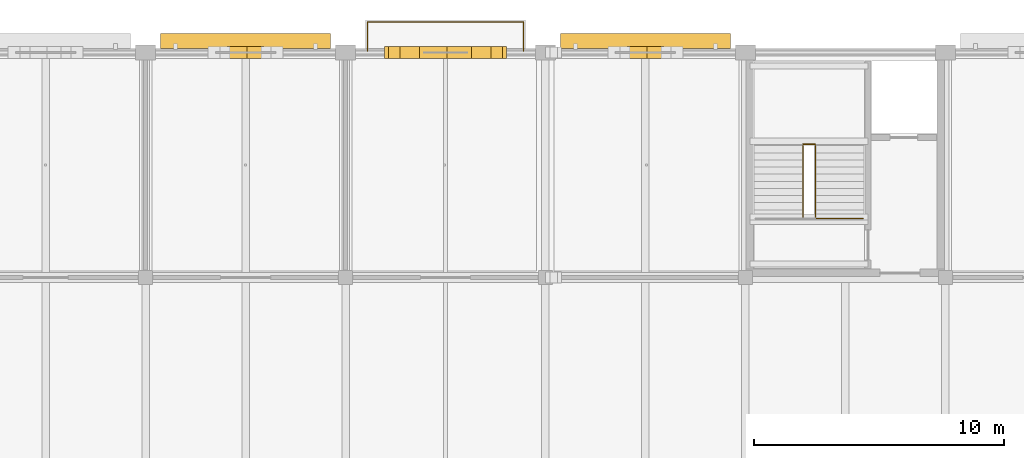
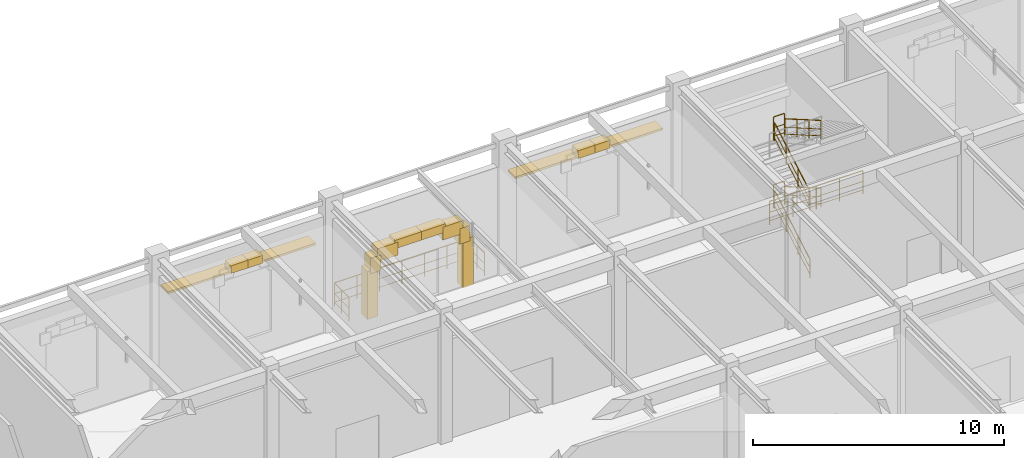
# One storey, part 161 of 163: 12 coverings, 8 railings, 2 shading devices.
"""IFC4 building model written with IfcOpenShell, lengths in metres."""

from ifc_helpers import new_model, si_unit, direction, frame, origin, origin_2d, place, context, subcontext, project, spatial, rectangle, circle, extrude, material, layer, layer_set, type_object, element, save


model = new_model("IFC4")

# Units and contexts
model_context = context("Model", 3, precision=1e-05, world=origin(), true_north=direction((0.0, 1.0)))
body_context = subcontext(model_context, "Body", "Model", "MODEL_VIEW")
ifc_project = project(units=[si_unit("LENGTHUNIT", "METRE"), si_unit("AREAUNIT", "SQUARE_METRE"), si_unit("VOLUMEUNIT", "CUBIC_METRE"), si_unit("PLANEANGLEUNIT", "RADIAN"), si_unit("MASSUNIT", "GRAM", prefix="KILO")], contexts=[model_context])

# Site, building, storey
site_placement = place(None, origin())
site = spatial("IfcSite", under=ifc_project, at=site_placement, CompositionType="ELEMENT")
building_placement = place(site_placement, origin())
building = spatial("IfcBuilding", under=site, at=building_placement, Name="Varnabhumi Central Station", CompositionType="ELEMENT")
storey_placement = place(building_placement, frame((0.0, 0.0, 9.60009765625)))
storey = spatial("IfcBuildingStorey", under=building, at=storey_placement, Name="L02", CompositionType="ELEMENT", Elevation=9.60009765625)

# Coverings
ifc_material_1 = material(Name="Terracotta clay Mission barrel tile", Category="masonry")
ifc_layer_1 = layer(ifc_material_1, 0.02001953125, Name="Terracotta clay Mission barrel tile", Category="masonry")
ifc_layer_set_1 = layer_set([ifc_layer_1], Name="Terracotta clay Mission barrel tile")
covering_type = type_object("IfcCoveringType", Name="COV-WALL-FAIENCE", PredefinedType="CLADDING", material=ifc_layer_set_1)
for number, where, z_axis, x_axis, name in (
    (1, (107.66259765625, 116.0, 4.4228515625), (0.0, 0.0, 1.0), (1.0, 0.0, 0.0), "North Window Arch L02-11 Stone Voussoir 3"),
    (2, (108.33740234375, 116.0, 4.4228515625), (0.0, 0.0, 1.0), (1.0, 0.0, 0.0), "North Window Arch L02-11 Stone Voussoir 4"),
):
    element("IfcCovering", number, at=place(storey_placement, frame(where, z_axis=z_axis, x_axis=x_axis)), inside=storey, type_object=covering_type, Name=name, PredefinedType="CLADDING", context=body_context, shape_type="SweptSolid", body=[
        extrude(rectangle(XDim=0.794921875, YDim=0.47998046875, at=origin_2d()), origin(), (0.0, 0.0, 1.0), 0.3798828125),
    ])
covering_1_placement = place(storey_placement, frame((113.947509765625, 116.0, 2.159912109375), z_axis=(0.0, 0.0, 1.0), x_axis=(1.0, 0.0, 0.0)))
element("IfcCovering", 3, at=covering_1_placement, inside=storey, type_object=covering_type, Name="Balcony Arch Portal L02-12 Stone Voussoir 1", PredefinedType="CLADDING", context=body_context, shape_type="SweptSolid", body=[
    extrude(rectangle(XDim=0.469970703125, YDim=0.47998046875, at=origin_2d()), origin(), (0.0, 0.0, 1.0), 0.7548828125),
])
covering_2_placement = place(storey_placement, frame((114.49755859375, 116.0, 2.635009765625), z_axis=(0.0, 0.0, 1.0), x_axis=(1.0, 0.0, 0.0)))
element("IfcCovering", 4, at=covering_2_placement, inside=storey, type_object=covering_type, Name="Balcony Arch Portal L02-12 Stone Voussoir 2", PredefinedType="CLADDING", context=body_context, shape_type="SweptSolid", body=[
    extrude(rectangle(XDim=0.925048828125, YDim=0.47998046875, at=origin_2d()), origin(), (0.0, 0.0, 1.0), 0.6279296875),
])
for number, where, z_axis, x_axis, name in (
    (5, (115.449951171875, 116.0, 2.98291015625), (0.0, 0.0, 1.0), (1.0, 0.0, 0.0), "Balcony Arch Portal L02-12 Stone Voussoir 3"),
    (6, (116.550048828125, 116.0, 2.98291015625), (0.0, 0.0, 1.0), (1.0, 0.0, 0.0), "Balcony Arch Portal L02-12 Stone Voussoir 4"),
):
    element("IfcCovering", number, at=place(storey_placement, frame(where, z_axis=z_axis, x_axis=x_axis)), inside=storey, type_object=covering_type, Name=name, PredefinedType="CLADDING", context=body_context, shape_type="SweptSolid", body=[
        extrude(rectangle(XDim=1.219970703125, YDim=0.47998046875, at=origin_2d()), origin(), (0.0, 0.0, 1.0), 0.406982421875),
    ])
covering_3_placement = place(storey_placement, frame((117.50244140625, 116.0, 2.635009765625), z_axis=(0.0, 0.0, 1.0), x_axis=(1.0, 0.0, 0.0)))
element("IfcCovering", 7, at=covering_3_placement, inside=storey, type_object=covering_type, Name="Balcony Arch Portal L02-12 Stone Voussoir 5", PredefinedType="CLADDING", context=body_context, shape_type="SweptSolid", body=[
    extrude(rectangle(XDim=0.925048828125, YDim=0.47998046875, at=origin_2d()), origin(), (0.0, 0.0, 1.0), 0.6279296875),
])
covering_4_placement = place(storey_placement, frame((118.052490234375, 116.0, 2.159912109375), z_axis=(0.0, 0.0, 1.0), x_axis=(1.0, 0.0, 0.0)))
element("IfcCovering", 8, at=covering_4_placement, inside=storey, type_object=covering_type, Name="Balcony Arch Portal L02-12 Stone Voussoir 6", PredefinedType="CLADDING", context=body_context, shape_type="SweptSolid", body=[
    extrude(rectangle(XDim=0.469970703125, YDim=0.47998046875, at=origin_2d()), origin(), (0.0, 0.0, 1.0), 0.7548828125),
])
for number, where, z_axis, x_axis, name in (
    (9, (113.800048828125, 116.0, -0.02001953125), (0.0, 0.0, 1.0), (1.0, 0.0, 0.0), "Balcony Arch Portal L02-12 Classical Pilaster 1"),
    (10, (118.199951171875, 116.0, -0.02001953125), (0.0, 0.0, 1.0), (1.0, 0.0, 0.0), "Balcony Arch Portal L02-12 Classical Pilaster 2"),
):
    element("IfcCovering", number, at=place(storey_placement, frame(where, z_axis=z_axis, x_axis=x_axis)), inside=storey, type_object=covering_type, Name=name, PredefinedType="CLADDING", context=body_context, shape_type="SweptSolid", body=[
        extrude(rectangle(XDim=0.47998046875, YDim=0.47998046875, at=origin_2d()), origin(), (0.0, 0.0, 1.0), 2.340087890625),
    ])
for number, where, z_axis, x_axis, name in (
    (11, (123.66259765625, 116.0, 4.4228515625), (0.0, 0.0, 1.0), (1.0, 0.0, 0.0), "North Window Arch L02-13 Stone Voussoir 3"),
    (12, (124.33740234375, 116.0, 4.4228515625), (0.0, 0.0, 1.0), (1.0, 0.0, 0.0), "North Window Arch L02-13 Stone Voussoir 4"),
):
    element("IfcCovering", number, at=place(storey_placement, frame(where, z_axis=z_axis, x_axis=x_axis)), inside=storey, type_object=covering_type, Name=name, PredefinedType="CLADDING", context=body_context, shape_type="SweptSolid", body=[
        extrude(rectangle(XDim=0.794921875, YDim=0.47998046875, at=origin_2d()), origin(), (0.0, 0.0, 1.0), 0.3798828125),
    ])

# Railings
ifc_material_2 = material(Name="Stainless steel Grade 316", Category="steel")
railing_type_1 = type_object("IfcRailingType", Name="RAIL-BALUST-1150", PredefinedType="BALUSTRADE", material=ifc_material_2)
railing_1_placement = place(storey_placement, frame((112.8798828125, 116.050048828125, 0.0)))
element("IfcRailing", 13, at=railing_1_placement, inside=storey, type_object=railing_type_1, Name="Azotea Perimeter Balustrade L02-11", PredefinedType="BALUSTRADE", context=body_context, shape_type="SweptSolid", body=[
    extrude(circle(Radius=0.02392578125, at=origin_2d()), frame((0.0, 0.0, 1.1259765625), z_axis=(0.0, 1.0, 0.0), x_axis=(-1.0, 0.0, 0.0)), (0.0, 0.0, 1.0), 1.169921875),
    extrude(circle(Radius=0.01416015625, at=origin_2d()), frame((0.0, 0.0, 0.597900390625), z_axis=(0.0, 1.0, 0.0), x_axis=(-1.0, 0.0, 0.0)), (0.0, 0.0, 1.0), 1.169921875),
    extrude(circle(Radius=0.01416015625, at=origin_2d()), frame((0.0, 0.0, 0.18408203125), z_axis=(0.0, 1.0, 0.0), x_axis=(-1.0, 0.0, 0.0)), (0.0, 0.0, 1.0), 1.169921875),
    extrude(circle(Radius=0.02392578125, at=origin_2d()), frame((0.0, 1.169921875, 1.1259765625), z_axis=(1.0, 0.0, 0.0), x_axis=(0.0, 1.0, 0.0)), (0.0, 0.0, 1.0), 6.240234375),
    extrude(circle(Radius=0.01416015625, at=origin_2d()), frame((0.0, 1.169921875, 0.597900390625), z_axis=(1.0, 0.0, 0.0), x_axis=(0.0, 1.0, 0.0)), (0.0, 0.0, 1.0), 6.240234375),
    extrude(circle(Radius=0.01416015625, at=origin_2d()), frame((0.0, 1.169921875, 0.18408203125), z_axis=(1.0, 0.0, 0.0), x_axis=(0.0, 1.0, 0.0)), (0.0, 0.0, 1.0), 6.240234375),
    extrude(circle(Radius=0.02392578125, at=origin_2d()), frame((6.240234375, 1.169921875, 1.1259765625), z_axis=(0.0, -1.0, 0.0), x_axis=(1.0, 0.0, 0.0)), (0.0, 0.0, 1.0), 1.169921875),
    extrude(circle(Radius=0.01416015625, at=origin_2d()), frame((6.240234375, 1.169921875, 0.597900390625), z_axis=(0.0, -1.0, 0.0), x_axis=(1.0, 0.0, 0.0)), (0.0, 0.0, 1.0), 1.169921875),
    extrude(circle(Radius=0.01416015625, at=origin_2d()), frame((6.240234375, 1.169921875, 0.18408203125), z_axis=(0.0, -1.0, 0.0), x_axis=(1.0, 0.0, 0.0)), (0.0, 0.0, 1.0), 1.169921875),
    extrude(circle(Radius=0.02099609375, at=origin_2d()), origin(), (0.0, 0.0, 1.0), 1.101806640625),
    extrude(circle(Radius=0.02099609375, at=origin_2d()), frame((0.0, 0.5849609375, 0.0)), (0.0, 0.0, 1.0), 1.101806640625),
    extrude(circle(Radius=0.02099609375, at=origin_2d()), frame((0.0, 1.169921875, 0.0)), (0.0, 0.0, 1.0), 1.101806640625),
    extrude(circle(Radius=0.02099609375, at=origin_2d()), frame((1.0400390625, 1.169921875, 0.0)), (0.0, 0.0, 1.0), 1.101806640625),
    extrude(circle(Radius=0.02099609375, at=origin_2d()), frame((2.080078125, 1.169921875, 0.0)), (0.0, 0.0, 1.0), 1.101806640625),
    extrude(circle(Radius=0.02099609375, at=origin_2d()), frame((3.1201171875, 1.169921875, 0.0)), (0.0, 0.0, 1.0), 1.101806640625),
    extrude(circle(Radius=0.02099609375, at=origin_2d()), frame((4.16015625, 1.169921875, 0.0)), (0.0, 0.0, 1.0), 1.101806640625),
    extrude(circle(Radius=0.02099609375, at=origin_2d()), frame((5.2001953125, 1.169921875, 0.0)), (0.0, 0.0, 1.0), 1.101806640625),
    extrude(circle(Radius=0.02099609375, at=origin_2d()), frame((6.240234375, 1.169921875, 0.0)), (0.0, 0.0, 1.0), 1.101806640625),
    extrude(circle(Radius=0.02099609375, at=origin_2d()), frame((6.240234375, 0.5849609375, 0.0)), (0.0, 0.0, 1.0), 1.101806640625),
    extrude(circle(Radius=0.02099609375, at=origin_2d()), frame((6.240234375, 0.0, 0.0)), (0.0, 0.0, 1.0), 1.101806640625),
])
railing_type_2 = type_object("IfcRailingType", Name="RAIL-STAIR-GRD-1150", PredefinedType="GUARDRAIL", material=ifc_material_2)
railing_2_placement = place(storey_placement, frame((130.300048828125, 112.330078125, 1.64990234375)))
element("IfcRailing", 14, at=railing_2_placement, inside=storey, type_object=railing_type_2, Name="ST-N3 L02 Landing Guard 1", PredefinedType="GUARDRAIL", context=body_context, shape_type="SweptSolid", body=[
    extrude(circle(Radius=0.02392578125, at=origin_2d()), frame((0.0, 0.0, 1.1259765625), z_axis=(1.0, 0.0, 0.0), x_axis=(0.0, 1.0, 0.0)), (0.0, 0.0, 1.0), 0.5),
    extrude(circle(Radius=0.01416015625, at=origin_2d()), frame((0.0, 0.0, 0.597900390625), z_axis=(1.0, 0.0, 0.0), x_axis=(0.0, 1.0, 0.0)), (0.0, 0.0, 1.0), 0.5),
    extrude(circle(Radius=0.01416015625, at=origin_2d()), frame((0.0, 0.0, 0.18408203125), z_axis=(1.0, 0.0, 0.0), x_axis=(0.0, 1.0, 0.0)), (0.0, 0.0, 1.0), 0.5),
    extrude(circle(Radius=0.02099609375, at=origin_2d()), origin(), (0.0, 0.0, 1.0), 1.101806640625),
    extrude(circle(Radius=0.02099609375, at=origin_2d()), frame((0.5, 0.0, 0.0)), (0.0, 0.0, 1.0), 1.101806640625),
])
railing_3_placement = place(storey_placement, frame((128.39990234375, 109.360107421875, 3.2998046875)))
element("IfcRailing", 15, at=railing_3_placement, inside=storey, type_object=railing_type_2, Name="ST-N3 L02 Landing Guard 2", PredefinedType="GUARDRAIL", context=body_context, shape_type="SweptSolid", body=[
    extrude(circle(Radius=0.02392578125, at=origin_2d()), frame((0.0, 0.0, 1.1259765625), z_axis=(1.0, 0.0, 0.0), x_axis=(0.0, 1.0, 0.0)), (0.0, 0.0, 1.0), 4.300048828125),
    extrude(circle(Radius=0.01416015625, at=origin_2d()), frame((0.0, 0.0, 0.597900390625), z_axis=(1.0, 0.0, 0.0), x_axis=(0.0, 1.0, 0.0)), (0.0, 0.0, 1.0), 4.300048828125),
    extrude(circle(Radius=0.01416015625, at=origin_2d()), frame((0.0, 0.0, 0.18408203125), z_axis=(1.0, 0.0, 0.0), x_axis=(0.0, 1.0, 0.0)), (0.0, 0.0, 1.0), 4.300048828125),
    extrude(circle(Radius=0.02099609375, at=origin_2d()), origin(), (0.0, 0.0, 1.0), 1.101806640625),
    extrude(circle(Radius=0.02099609375, at=origin_2d()), frame((1.074951171875, 0.0, 0.0)), (0.0, 0.0, 1.0), 1.101806640625),
    extrude(circle(Radius=0.02099609375, at=origin_2d()), frame((2.14990234375, 0.0, 0.0)), (0.0, 0.0, 1.0), 1.101806640625),
    extrude(circle(Radius=0.02099609375, at=origin_2d()), frame((3.22509765625, 0.0, 0.0)), (0.0, 0.0, 1.0), 1.101806640625),
    extrude(circle(Radius=0.02099609375, at=origin_2d()), frame((4.300048828125, 0.0, 0.0)), (0.0, 0.0, 1.0), 1.101806640625),
])
railing_4_placement = place(storey_placement, frame((130.300048828125, 112.330078125, 4.949951171875)))
element("IfcRailing", 16, at=railing_4_placement, inside=storey, type_object=railing_type_2, Name="ST-N3 L02 Landing Guard 3", PredefinedType="GUARDRAIL", context=body_context, shape_type="SweptSolid", body=[
    extrude(circle(Radius=0.02392578125, at=origin_2d()), frame((0.0, 0.0, 1.1259765625), z_axis=(1.0, 0.0, 0.0), x_axis=(0.0, 1.0, 0.0)), (0.0, 0.0, 1.0), 0.5),
    extrude(circle(Radius=0.01416015625, at=origin_2d()), frame((0.0, 0.0, 0.597900390625), z_axis=(1.0, 0.0, 0.0), x_axis=(0.0, 1.0, 0.0)), (0.0, 0.0, 1.0), 0.5),
    extrude(circle(Radius=0.01416015625, at=origin_2d()), frame((0.0, 0.0, 0.18408203125), z_axis=(1.0, 0.0, 0.0), x_axis=(0.0, 1.0, 0.0)), (0.0, 0.0, 1.0), 0.5),
    extrude(circle(Radius=0.02099609375, at=origin_2d()), origin(), (0.0, 0.0, 1.0), 1.101806640625),
    extrude(circle(Radius=0.02099609375, at=origin_2d()), frame((0.5, 0.0, 0.0)), (0.0, 0.0, 1.0), 1.101806640625),
])
railing_type_3 = type_object("IfcRailingType", Name="RAIL-STAIR-HR-920", PredefinedType="HANDRAIL", material=ifc_material_2)
railing_5_placement = place(storey_placement, frame((130.300048828125, 109.419921875, 0.0)))
element("IfcRailing", 17, at=railing_5_placement, inside=storey, type_object=railing_type_3, Name="ST-N3 L02 Handrail 1", PredefinedType="HANDRAIL", context=body_context, shape_type="SweptSolid", body=[
    extrude(circle(Radius=0.02392578125, at=origin_2d()), frame((0.0, 0.0, 0.89599609375), z_axis=(0.0, 0.865446587175, 0.501001202341), x_axis=(-1.0, 0.0, 0.0)), (0.0, 0.0, 1.0), 3.293212890625),
    extrude(circle(Radius=0.01416015625, at=origin_2d()), frame((0.0, 0.0, 0.478271484375), z_axis=(0.0, 0.865446587175, 0.501001202341), x_axis=(-1.0, 0.0, 0.0)), (0.0, 0.0, 1.0), 3.293212890625),
    extrude(circle(Radius=0.01416015625, at=origin_2d()), frame((0.0, 0.0, 0.147216796875), z_axis=(0.0, 0.865446587175, 0.501001202341), x_axis=(-1.0, 0.0, 0.0)), (0.0, 0.0, 1.0), 3.293212890625),
    extrude(circle(Radius=0.02099609375, at=origin_2d()), origin(), (0.0, 0.0, 1.0), 0.871826171875),
    extrude(circle(Radius=0.02099609375, at=origin_2d()), frame((0.0, 0.949951171875, 0.550048828125)), (0.0, 0.0, 1.0), 0.871826171875),
    extrude(circle(Radius=0.02099609375, at=origin_2d()), frame((0.0, 1.900146484375, 1.099853515625)), (0.0, 0.0, 1.0), 0.871826171875),
    extrude(circle(Radius=0.02099609375, at=origin_2d()), frame((0.0, 2.85009765625, 1.64990234375)), (0.0, 0.0, 1.0), 0.871826171875),
])
railing_6_placement = place(storey_placement, frame((130.800048828125, 112.27001953125, 1.64990234375)))
element("IfcRailing", 18, at=railing_6_placement, inside=storey, type_object=railing_type_3, Name="ST-N3 L02 Handrail 2", PredefinedType="HANDRAIL", context=body_context, shape_type="SweptSolid", body=[
    extrude(circle(Radius=0.02392578125, at=origin_2d()), frame((0.0, 0.0, 0.89599609375), z_axis=(0.0, -0.865446587175, 0.501001202341), x_axis=(1.0, 0.0, 0.0)), (0.0, 0.0, 1.0), 3.293212890625),
    extrude(circle(Radius=0.01416015625, at=origin_2d()), frame((0.0, 0.0, 0.478271484375), z_axis=(0.0, -0.865446587175, 0.501001202341), x_axis=(1.0, 0.0, 0.0)), (0.0, 0.0, 1.0), 3.293212890625),
    extrude(circle(Radius=0.01416015625, at=origin_2d()), frame((0.0, 0.0, 0.147216796875), z_axis=(0.0, -0.865446587175, 0.501001202341), x_axis=(1.0, 0.0, 0.0)), (0.0, 0.0, 1.0), 3.293212890625),
    extrude(circle(Radius=0.02099609375, at=origin_2d()), origin(), (0.0, 0.0, 1.0), 0.871826171875),
    extrude(circle(Radius=0.02099609375, at=origin_2d()), frame((0.0, -0.949951171875, 0.550048828125)), (0.0, 0.0, 1.0), 0.871826171875),
    extrude(circle(Radius=0.02099609375, at=origin_2d()), frame((0.0, -1.900146484375, 1.099853515625)), (0.0, 0.0, 1.0), 0.871826171875),
    extrude(circle(Radius=0.02099609375, at=origin_2d()), frame((0.0, -2.85009765625, 1.64990234375)), (0.0, 0.0, 1.0), 0.871826171875),
])
railing_7_placement = place(storey_placement, frame((130.300048828125, 109.419921875, 3.2998046875)))
element("IfcRailing", 19, at=railing_7_placement, inside=storey, type_object=railing_type_3, Name="ST-N3 L02 Handrail 3", PredefinedType="HANDRAIL", context=body_context, shape_type="SweptSolid", body=[
    extrude(circle(Radius=0.02392578125, at=origin_2d()), frame((0.0, 0.0, 0.89599609375), z_axis=(0.0, 0.86541444261, 0.501056725852), x_axis=(-1.0, 0.0, 0.0)), (0.0, 0.0, 1.0), 3.293212890625),
    extrude(circle(Radius=0.01416015625, at=origin_2d()), frame((0.0, 0.0, 0.478271484375), z_axis=(0.0, 0.86541444261, 0.501056725852), x_axis=(-1.0, 0.0, 0.0)), (0.0, 0.0, 1.0), 3.293212890625),
    extrude(circle(Radius=0.01416015625, at=origin_2d()), frame((0.0, 0.0, 0.147216796875), z_axis=(0.0, 0.86541444261, 0.501056725852), x_axis=(-1.0, 0.0, 0.0)), (0.0, 0.0, 1.0), 3.293212890625),
    extrude(circle(Radius=0.02099609375, at=origin_2d()), origin(), (0.0, 0.0, 1.0), 0.871826171875),
    extrude(circle(Radius=0.02099609375, at=origin_2d()), frame((0.0, 0.949951171875, 0.550048828125)), (0.0, 0.0, 1.0), 0.871826171875),
    extrude(circle(Radius=0.02099609375, at=origin_2d()), frame((0.0, 1.900146484375, 1.10009765625)), (0.0, 0.0, 1.0), 0.871826171875),
    extrude(circle(Radius=0.02099609375, at=origin_2d()), frame((0.0, 2.85009765625, 1.650146484375)), (0.0, 0.0, 1.0), 0.871826171875),
])
railing_8_placement = place(storey_placement, frame((130.800048828125, 112.27001953125, 4.949951171875)))
element("IfcRailing", 20, at=railing_8_placement, inside=storey, type_object=railing_type_3, Name="ST-N3 L02 Handrail 4", PredefinedType="HANDRAIL", context=body_context, shape_type="SweptSolid", body=[
    extrude(circle(Radius=0.02392578125, at=origin_2d()), frame((0.0, 0.0, 0.89599609375), z_axis=(0.0, -0.865446587175, 0.501001202341), x_axis=(1.0, 0.0, 0.0)), (0.0, 0.0, 1.0), 3.293212890625),
    extrude(circle(Radius=0.01416015625, at=origin_2d()), frame((0.0, 0.0, 0.478271484375), z_axis=(0.0, -0.865446587175, 0.501001202341), x_axis=(1.0, 0.0, 0.0)), (0.0, 0.0, 1.0), 3.293212890625),
    extrude(circle(Radius=0.01416015625, at=origin_2d()), frame((0.0, 0.0, 0.147216796875), z_axis=(0.0, -0.865446587175, 0.501001202341), x_axis=(1.0, 0.0, 0.0)), (0.0, 0.0, 1.0), 3.293212890625),
    extrude(circle(Radius=0.02099609375, at=origin_2d()), origin(), (0.0, 0.0, 1.0), 0.871826171875),
    extrude(circle(Radius=0.02099609375, at=origin_2d()), frame((0.0, -0.949951171875, 0.550048828125)), (0.0, 0.0, 1.0), 0.871826171875),
    extrude(circle(Radius=0.02099609375, at=origin_2d()), frame((0.0, -1.900146484375, 1.099853515625)), (0.0, 0.0, 1.0), 0.871826171875),
    extrude(circle(Radius=0.02099609375, at=origin_2d()), frame((0.0, -2.85009765625, 1.64990234375)), (0.0, 0.0, 1.0), 0.871826171875),
])

# Shading devices
ifc_material_3 = material(Name="Precast concrete M45", Category="concrete")
ifc_layer_2 = layer(ifc_material_3, 0.10009765625, Name="Precast concrete M45", Category="concrete")
ifc_layer_set_2 = layer_set([ifc_layer_2], Name="Precast concrete M45")
shading_device_type = type_object("IfcShadingDeviceType", Name="SHD-CHAJJA-600", PredefinedType="AWNING", material=ifc_layer_set_2)
for number, where, z_axis, x_axis, name in (
    (21, (108.0, 116.449951171875, 4.1298828125), (0.0, 0.0, 1.0), (1.0, 0.0, 0.0), "Chajja Overhang N-L02-11"),
    (22, (124.0, 116.449951171875, 4.1298828125), (0.0, 0.0, 1.0), (1.0, 0.0, 0.0), "Chajja Overhang N-L02-13"),
):
    element("IfcShadingDevice", number, at=place(storey_placement, frame(where, z_axis=z_axis, x_axis=x_axis)), inside=storey, type_object=shading_device_type, Name=name, PredefinedType="AWNING", context=body_context, shape_type="SweptSolid", body=[
        extrude(rectangle(XDim=6.800048828125, YDim=0.60009765625, at=origin_2d()), origin(), (0.0, 0.0, 1.0), 0.10009765625),
    ])

save(model, "model.ifc")
